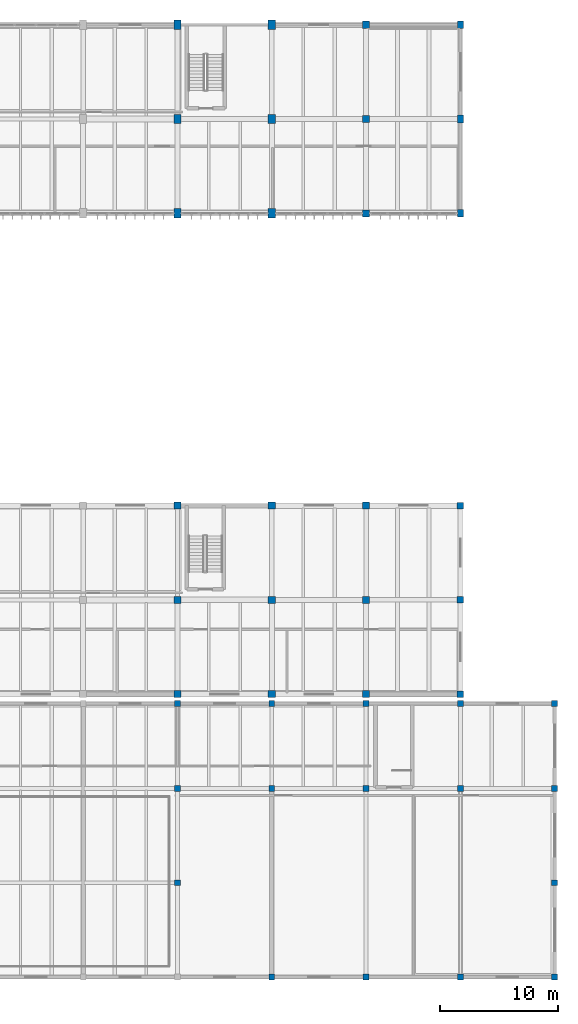
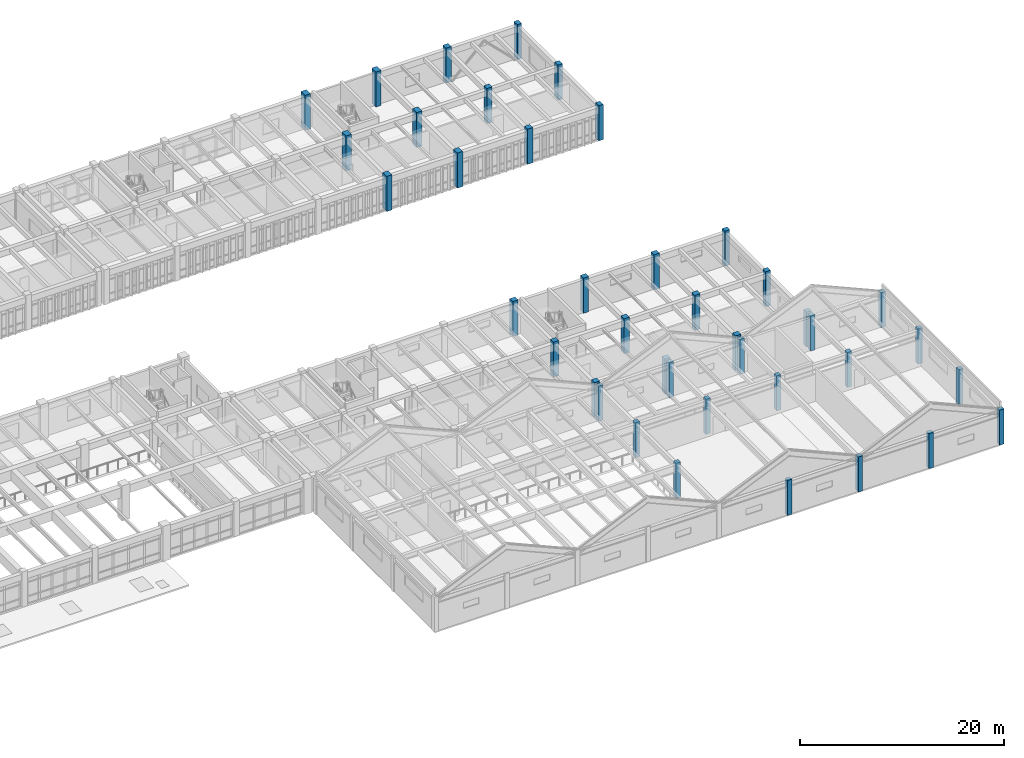
# One storey, part 2 of 67: 40 columns.
"""IFC4 building model written with IfcOpenShell, lengths in metres."""

from ifc_helpers import new_model, si_unit, direction, frame, origin, origin_2d, place, context, subcontext, project, spatial, rectangle, extrude, material, material_profile, profile_set, type_object, element, save


model = new_model("IFC4")

# Units and contexts
model_context = context("Model", 3, precision=1e-05, world=origin(), true_north=direction((0.0, 1.0)))
body_context = subcontext(model_context, "Body", "Model", "MODEL_VIEW")
ifc_project = project(units=[si_unit("LENGTHUNIT", "METRE"), si_unit("AREAUNIT", "SQUARE_METRE"), si_unit("VOLUMEUNIT", "CUBIC_METRE"), si_unit("PLANEANGLEUNIT", "RADIAN"), si_unit("MASSUNIT", "GRAM", prefix="KILO")], contexts=[model_context])

# Site, building, storey
site_placement = place(None, origin())
site = spatial("IfcSite", under=ifc_project, at=site_placement, CompositionType="ELEMENT")
building_placement = place(site_placement, origin())
building = spatial("IfcBuilding", under=site, at=building_placement, Name="Tlaxcora Railside Police Headquarters", CompositionType="ELEMENT")
storey_placement = place(building_placement, frame((0.0, 0.0, 4.800048828125)))
storey = spatial("IfcBuildingStorey", under=building, at=storey_placement, Name="L01", CompositionType="ELEMENT", Elevation=4.800048828125)

# Columns
ifc_material = material(Name="Concrete C40/50", Category="concrete")
ifc_material_profile_1 = material_profile(ifc_material, rectangle(XDim=0.5, YDim=0.64990234375, at=origin_2d()), Name="RC500X650")
ifc_profile_set_1 = profile_set([ifc_material_profile_1], Name="Concrete C40/50")
column_type_1 = type_object("IfcColumnType", Name="Structural Column CL-28", PredefinedType="COLUMN", material=ifc_profile_set_1)
for number, where, z_axis, x_axis, name in (
    (1, (158.800048828125, 76.800048828125, 0.0), (0.0, 0.0, 1.0), (1.0, 0.0, 0.0), "L01 column (158.8, 76.8)"),
    (2, (158.800048828125, 84.800048828125, 0.0), (0.0, 0.0, 1.0), (1.0, 0.0, 0.0), "L01 column (158.8, 84.8)"),
    (3, (158.800048828125, 92.800048828125, 0.0), (0.0, 0.0, 1.0), (1.0, 0.0, 0.0), "L01 column (158.8, 92.8)"),
):
    element("IfcColumn", number, at=place(storey_placement, frame(where, z_axis=z_axis, x_axis=x_axis)), inside=storey, type_object=column_type_1, Name=name, PredefinedType="COLUMN", context=body_context, shape_type="SweptSolid", body=[
        extrude(rectangle(XDim=0.5, YDim=0.64990234375, at=origin_2d()), origin(), (0.0, 0.0, 1.0), 4.199951171875),
    ])
ifc_material_profile_2 = material_profile(ifc_material, rectangle(XDim=0.60009765625, YDim=0.60009765625, at=origin_2d()), Name="RC600X600")
ifc_profile_set_2 = profile_set([ifc_material_profile_2], Name="Concrete C40/50")
column_type_2 = type_object("IfcColumnType", Name="Structural Column CL-53", PredefinedType="COLUMN", material=ifc_profile_set_2)
for number, where, z_axis, x_axis, name in (
    (4, (134.800048828125, 36.0, 0.0), (0.0, 0.0, 1.0), (1.0, 0.0, 0.0), "L01 column (134.8, 36.0)"),
    (5, (134.800048828125, 44.0, 0.0), (0.0, 0.0, 1.0), (1.0, 0.0, 0.0), "L01 column (134.8, 44.0)"),
    (6, (134.800048828125, 52.0, 0.0), (0.0, 0.0, 1.0), (1.0, 0.0, 0.0), "L01 column (134.8, 52.0)"),
    (7, (142.800048828125, 36.0, 0.0), (0.0, 0.0, 1.0), (1.0, 0.0, 0.0), "L01 column (142.8, 36.0)"),
    (8, (142.800048828125, 44.0, 0.0), (0.0, 0.0, 1.0), (1.0, 0.0, 0.0), "L01 column (142.8, 44.0)"),
    (9, (142.800048828125, 52.0, 0.0), (0.0, 0.0, 1.0), (1.0, 0.0, 0.0), "L01 column (142.8, 52.0)"),
    (10, (150.800048828125, 36.0, 0.0), (0.0, 0.0, 1.0), (1.0, 0.0, 0.0), "L01 column (150.8, 36.0)"),
    (11, (150.800048828125, 44.0, 0.0), (0.0, 0.0, 1.0), (1.0, 0.0, 0.0), "L01 column (150.8, 44.0)"),
    (12, (150.800048828125, 52.0, 0.0), (0.0, 0.0, 1.0), (1.0, 0.0, 0.0), "L01 column (150.8, 52.0)"),
    (13, (150.800048828125, 76.800048828125, 0.0), (0.0, 0.0, 1.0), (1.0, 0.0, 0.0), "L01 column (150.8, 76.8)"),
    (14, (150.800048828125, 84.800048828125, 0.0), (0.0, 0.0, 1.0), (1.0, 0.0, 0.0), "L01 column (150.8, 84.8)"),
    (15, (150.800048828125, 92.800048828125, 0.0), (0.0, 0.0, 1.0), (1.0, 0.0, 0.0), "L01 column (150.8, 92.8)"),
):
    element("IfcColumn", number, at=place(storey_placement, frame(where, z_axis=z_axis, x_axis=x_axis)), inside=storey, type_object=column_type_2, Name=name, PredefinedType="COLUMN", context=body_context, shape_type="SweptSolid", body=[
        extrude(rectangle(XDim=0.60009765625, YDim=0.60009765625, at=origin_2d()), origin(), (0.0, 0.0, 1.0), 4.199951171875),
    ])
ifc_material_profile_3 = material_profile(ifc_material, rectangle(XDim=0.5, YDim=0.5, at=origin_2d()), Name="RC500X500")
ifc_profile_set_3 = profile_set([ifc_material_profile_3], Name="Concrete C40/50")
column_type_3 = type_object("IfcColumnType", Name="Structural Column CL-55", PredefinedType="COLUMN", material=ifc_profile_set_3)
for number, where, z_axis, x_axis, name in (
    (16, (134.800048828125, 20.0, 0.0), (0.0, 0.0, 1.0), (1.0, 0.0, 0.0), "L01 column (134.8, 20.0)"),
    (17, (134.800048828125, 28.0, 0.0), (0.0, 0.0, 1.0), (1.0, 0.0, 0.0), "L01 column (134.8, 28.0)"),
    (18, (134.800048828125, 35.199951171875, 0.0), (0.0, 0.0, 1.0), (1.0, 0.0, 0.0), "L01 column (134.8, 35.2)"),
    (19, (142.800048828125, 12.0, 0.0), (0.0, 0.0, 1.0), (1.0, 0.0, 0.0), "L01 column (142.8, 12.0)"),
    (20, (142.800048828125, 28.0, 0.0), (0.0, 0.0, 1.0), (1.0, 0.0, 0.0), "L01 column (142.8, 28.0)"),
    (21, (142.800048828125, 35.199951171875, 0.0), (0.0, 0.0, 1.0), (1.0, 0.0, 0.0), "L01 column (142.8, 35.2)"),
    (22, (150.800048828125, 12.0, 0.0), (0.0, 0.0, 1.0), (1.0, 0.0, 0.0), "L01 column (150.8, 12.0)"),
    (23, (150.800048828125, 28.0, 0.0), (0.0, 0.0, 1.0), (1.0, 0.0, 0.0), "L01 column (150.8, 28.0)"),
    (24, (150.800048828125, 35.199951171875, 0.0), (0.0, 0.0, 1.0), (1.0, 0.0, 0.0), "L01 column (150.8, 35.2)"),
    (25, (158.800048828125, 12.0, 0.0), (0.0, 0.0, 1.0), (1.0, 0.0, 0.0), "L01 column (158.8, 12.0)"),
    (26, (158.800048828125, 28.0, 0.0), (0.0, 0.0, 1.0), (1.0, 0.0, 0.0), "L01 column (158.8, 28.0)"),
    (27, (158.800048828125, 35.199951171875, 0.0), (0.0, 0.0, 1.0), (1.0, 0.0, 0.0), "L01 column (158.8, 35.2)"),
    (28, (166.800048828125, 12.0, 0.0), (0.0, 0.0, 1.0), (1.0, 0.0, 0.0), "L01 column (166.8, 12.0)"),
    (29, (166.800048828125, 20.0, 0.0), (0.0, 0.0, 1.0), (1.0, 0.0, 0.0), "L01 column (166.8, 20.0)"),
    (30, (166.800048828125, 28.0, 0.0), (0.0, 0.0, 1.0), (1.0, 0.0, 0.0), "L01 column (166.8, 28.0)"),
    (31, (166.800048828125, 35.199951171875, 0.0), (0.0, 0.0, 1.0), (1.0, 0.0, 0.0), "L01 column (166.8, 35.2)"),
):
    element("IfcColumn", number, at=place(storey_placement, frame(where, z_axis=z_axis, x_axis=x_axis)), inside=storey, type_object=column_type_3, Name=name, PredefinedType="COLUMN", context=body_context, shape_type="SweptSolid", body=[
        extrude(rectangle(XDim=0.5, YDim=0.5, at=origin_2d()), origin(), (0.0, 0.0, 1.0), 4.199951171875),
    ])
ifc_material_profile_4 = material_profile(ifc_material, rectangle(XDim=0.550048828125, YDim=0.550048828125, at=origin_2d()), Name="RC550X550")
ifc_profile_set_4 = profile_set([ifc_material_profile_4], Name="Concrete C40/50")
column_type_4 = type_object("IfcColumnType", Name="Structural Column CL-83", PredefinedType="COLUMN", material=ifc_profile_set_4)
for number, where, z_axis, x_axis, name in (
    (32, (158.800048828125, 36.0, 0.0), (0.0, 0.0, 1.0), (1.0, 0.0, 0.0), "L01 column (158.8, 36.0)"),
    (33, (158.800048828125, 44.0, 0.0), (0.0, 0.0, 1.0), (1.0, 0.0, 0.0), "L01 column (158.8, 44.0)"),
    (34, (158.800048828125, 52.0, 0.0), (0.0, 0.0, 1.0), (1.0, 0.0, 0.0), "L01 column (158.8, 52.0)"),
):
    element("IfcColumn", number, at=place(storey_placement, frame(where, z_axis=z_axis, x_axis=x_axis)), inside=storey, type_object=column_type_4, Name=name, PredefinedType="COLUMN", context=body_context, shape_type="SweptSolid", body=[
        extrude(rectangle(XDim=0.550048828125, YDim=0.550048828125, at=origin_2d()), origin(), (0.0, 0.0, 1.0), 4.199951171875),
    ])
ifc_material_profile_5 = material_profile(ifc_material, rectangle(XDim=0.60009765625, YDim=0.800048828125, at=origin_2d()), Name="RC600X800")
ifc_profile_set_5 = profile_set([ifc_material_profile_5], Name="Concrete C40/50")
column_type_5 = type_object("IfcColumnType", Name="Structural Column CL-90", PredefinedType="COLUMN", material=ifc_profile_set_5)
for number, where, z_axis, x_axis, name in (
    (35, (134.800048828125, 76.800048828125, 0.0), (0.0, 0.0, 1.0), (1.0, 0.0, 0.0), "L01 column (134.8, 76.8)"),
    (36, (134.800048828125, 84.800048828125, 0.0), (0.0, 0.0, 1.0), (1.0, 0.0, 0.0), "L01 column (134.8, 84.8)"),
    (37, (134.800048828125, 92.800048828125, 0.0), (0.0, 0.0, 1.0), (1.0, 0.0, 0.0), "L01 column (134.8, 92.8)"),
    (38, (142.800048828125, 76.800048828125, 0.0), (0.0, 0.0, 1.0), (1.0, 0.0, 0.0), "L01 column (142.8, 76.8)"),
    (39, (142.800048828125, 84.800048828125, 0.0), (0.0, 0.0, 1.0), (1.0, 0.0, 0.0), "L01 column (142.8, 84.8)"),
    (40, (142.800048828125, 92.800048828125, 0.0), (0.0, 0.0, 1.0), (1.0, 0.0, 0.0), "L01 column (142.8, 92.8)"),
):
    element("IfcColumn", number, at=place(storey_placement, frame(where, z_axis=z_axis, x_axis=x_axis)), inside=storey, type_object=column_type_5, Name=name, PredefinedType="COLUMN", context=body_context, shape_type="SweptSolid", body=[
        extrude(rectangle(XDim=0.60009765625, YDim=0.800048828125, at=origin_2d()), origin(), (0.0, 0.0, 1.0), 4.199951171875),
    ])

save(model, "model.ifc")
